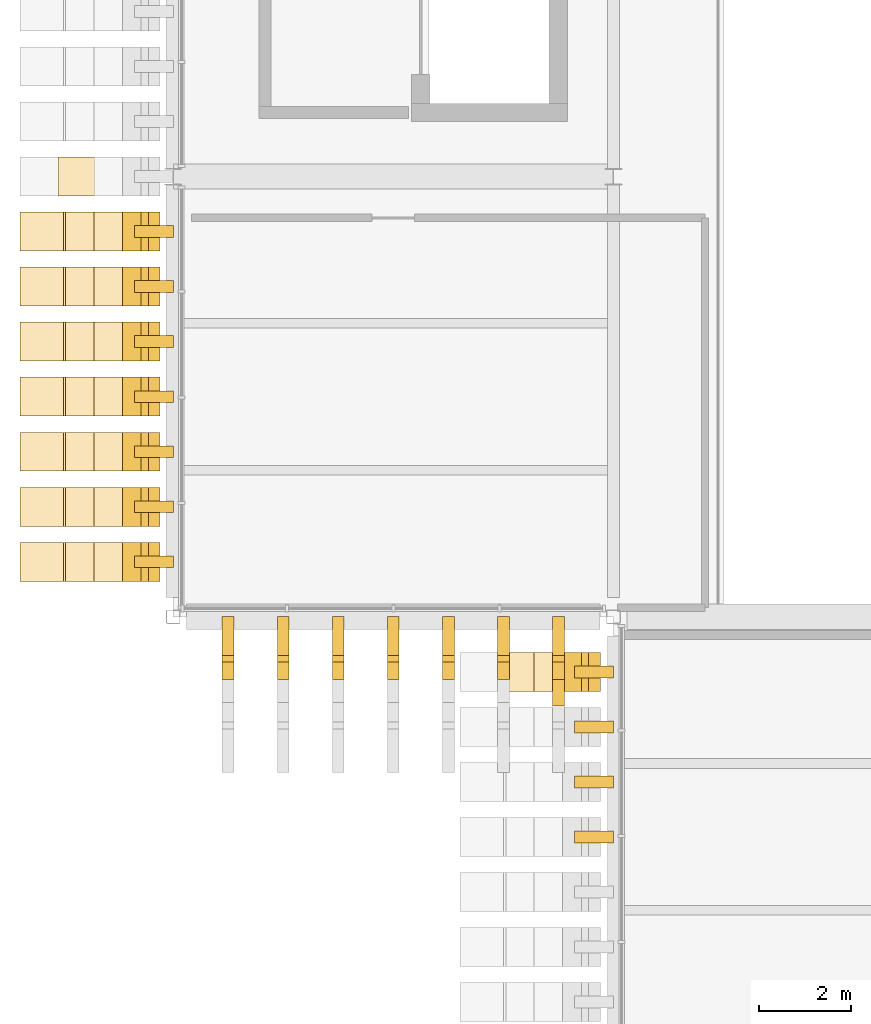
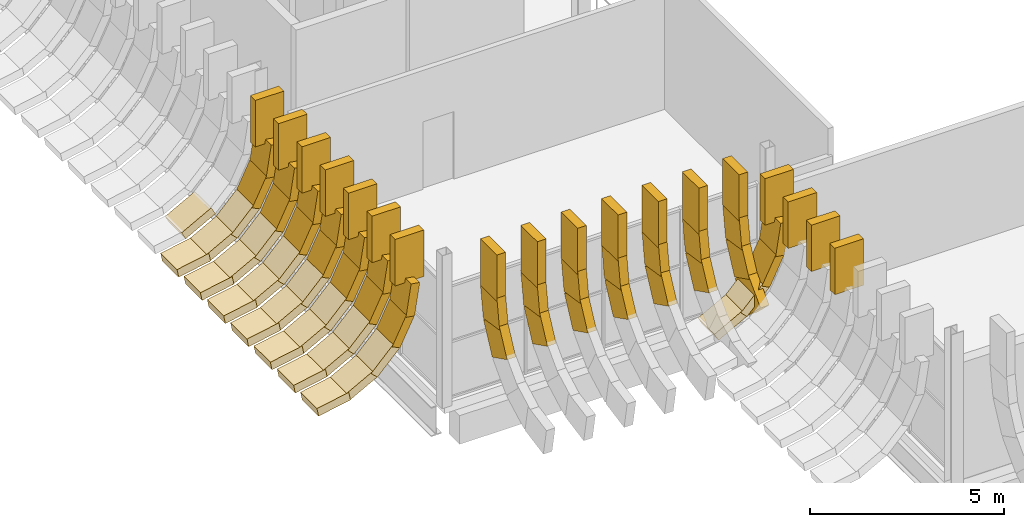
# One storey, part 67 of 100: 73 coverings.
"""IFC4 building model written with IfcOpenShell, lengths in metres."""

from ifc_helpers import new_model, si_unit, direction, frame, origin, origin_2d, place, context, subcontext, project, spatial, rectangle, extrude, material, material_profile, profile_set, type_object, element, save


model = new_model("IFC4")

# Units and contexts
model_context = context("Model", 3, precision=1e-05, world=origin(), true_north=direction((0.0, 1.0)))
body_context = subcontext(model_context, "Body", "Model", "MODEL_VIEW")
ifc_project = project(units=[si_unit("LENGTHUNIT", "METRE"), si_unit("AREAUNIT", "SQUARE_METRE"), si_unit("VOLUMEUNIT", "CUBIC_METRE"), si_unit("PLANEANGLEUNIT", "RADIAN"), si_unit("MASSUNIT", "GRAM", prefix="KILO")], contexts=[model_context])

# Site, building, storey
site_placement = place(None, origin())
site = spatial("IfcSite", under=ifc_project, at=site_placement, CompositionType="ELEMENT")
building_placement = place(site_placement, origin())
building = spatial("IfcBuilding", under=site, at=building_placement, Name="Caelomonte Colonnade Arena", CompositionType="ELEMENT")
storey_placement = place(building_placement, origin())
storey = spatial("IfcBuildingStorey", under=building, at=storey_placement, Name="L00", CompositionType="ELEMENT", Elevation=0.0)

# Coverings
ifc_material = material(Name="Precast travertine cladding", Category="masonry")
ifc_material_profile = material_profile(ifc_material, rectangle(XDim=0.260009765625, YDim=0.85009765625, at=origin_2d()), Name="FIN260X850")
ifc_profile_set = profile_set([ifc_material_profile], Name="Precast travertine cladding")
covering_type = type_object("IfcCoveringType", Name="ENV-FN-SKIRT", PredefinedType="CLADDING", material=ifc_profile_set)
covering_1_placement = place(storey_placement, frame((-1.567626953125, 48.0, 1.061767578125), z_axis=(-0.879676382338, 0.0, -0.475572772935), x_axis=(-0.475572772935, 0.0, 0.879676382338)))
element("IfcCovering", 1, at=covering_1_placement, inside=storey, type_object=covering_type, Name="V5 L00 splayed classical fin skirt chord 4 (32)", PredefinedType="CLADDING", context=body_context, shape_type="SweptSolid", body=[
    extrude(rectangle(XDim=0.260009765625, YDim=0.85009765625, at=origin_2d()), origin(), (0.0, 0.0, 1.0), 1.0078125),
])
covering_2_placement = place(storey_placement, frame((-0.4208984375, 46.800048828125, 3.360107421875), z_axis=(0.0, 0.0, 1.0), x_axis=(0.0, 1.0, 0.0)))
element("IfcCovering", 2, at=covering_2_placement, inside=storey, type_object=covering_type, Name="V5 L00 upper classical fin stem 33", PredefinedType="CLADDING", context=body_context, shape_type="SweptSolid", body=[
    extrude(rectangle(XDim=0.260009765625, YDim=0.85009765625, at=origin_2d()), origin(), (0.0, 0.0, 1.0), 1.4599609375),
])
covering_3_placement = place(storey_placement, frame((-0.4140625, 46.800048828125, 3.474609375), z_axis=(-0.153076342973, 0.0, -0.988214366027), x_axis=(-0.988214366027, 0.0, 0.153076342973)))
element("IfcCovering", 3, at=covering_3_placement, inside=storey, type_object=covering_type, Name="V5 L00 splayed classical fin skirt chord 1 (33)", PredefinedType="CLADDING", context=body_context, shape_type="SweptSolid", body=[
    extrude(rectangle(XDim=0.260009765625, YDim=0.85009765625, at=origin_2d()), origin(), (0.0, 0.0, 1.0), 1.008056640625),
])
covering_4_placement = place(storey_placement, frame((-0.54150390625, 46.800048828125, 2.563232421875), z_axis=(-0.44449852268, 0.0, -0.895779584125), x_axis=(-0.895779584125, 0.0, 0.44449852268)))
element("IfcCovering", 4, at=covering_4_placement, inside=storey, type_object=covering_type, Name="V5 L00 splayed classical fin skirt chord 2 (33)", PredefinedType="CLADDING", context=body_context, shape_type="SweptSolid", body=[
    extrude(rectangle(XDim=0.260009765625, YDim=0.85009765625, at=origin_2d()), origin(), (0.0, 0.0, 1.0), 1.0078125),
])
covering_5_placement = place(storey_placement, frame((-0.938232421875, 46.800048828125, 1.733154296875), z_axis=(-0.694646381209, 0.0, -0.71935137803), x_axis=(-0.71935137803, 0.0, 0.694646381209)))
element("IfcCovering", 5, at=covering_5_placement, inside=storey, type_object=covering_type, Name="V5 L00 splayed classical fin skirt chord 3 (33)", PredefinedType="CLADDING", context=body_context, shape_type="SweptSolid", body=[
    extrude(rectangle(XDim=0.260009765625, YDim=0.85009765625, at=origin_2d()), origin(), (0.0, 0.0, 1.0), 1.008056640625),
])
covering_6_placement = place(storey_placement, frame((-1.567626953125, 46.800048828125, 1.061767578125), z_axis=(-0.879676382338, 0.0, -0.475572772935), x_axis=(-0.475572772935, 0.0, 0.879676382338)))
element("IfcCovering", 6, at=covering_6_placement, inside=storey, type_object=covering_type, Name="V5 L00 splayed classical fin skirt chord 4 (33)", PredefinedType="CLADDING", context=body_context, shape_type="SweptSolid", body=[
    extrude(rectangle(XDim=0.260009765625, YDim=0.85009765625, at=origin_2d()), origin(), (0.0, 0.0, 1.0), 1.0078125),
])
covering_7_placement = place(storey_placement, frame((-2.370361328125, 46.800048828125, 0.6123046875), z_axis=(-0.982296384632, 0.0, -0.187333426643), x_axis=(-0.187333426643, 0.0, 0.982296384632)))
element("IfcCovering", 7, at=covering_7_placement, inside=storey, type_object=covering_type, Name="V5 L00 splayed classical fin skirt chord 5 (33)", PredefinedType="CLADDING", context=body_context, shape_type="SweptSolid", body=[
    extrude(rectangle(XDim=0.260009765625, YDim=0.85009765625, at=origin_2d()), origin(), (0.0, 0.0, 1.0), 0.963134765625),
])
covering_8_placement = place(storey_placement, frame((-0.4208984375, 45.60009765625, 3.360107421875), z_axis=(0.0, 0.0, 1.0), x_axis=(0.0, 1.0, 0.0)))
element("IfcCovering", 8, at=covering_8_placement, inside=storey, type_object=covering_type, Name="V5 L00 upper classical fin stem 34", PredefinedType="CLADDING", context=body_context, shape_type="SweptSolid", body=[
    extrude(rectangle(XDim=0.260009765625, YDim=0.85009765625, at=origin_2d()), origin(), (0.0, 0.0, 1.0), 1.4599609375),
])
covering_9_placement = place(storey_placement, frame((-0.4140625, 45.60009765625, 3.474609375), z_axis=(-0.153076342973, 0.0, -0.988214366027), x_axis=(-0.988214366027, 0.0, 0.153076342973)))
element("IfcCovering", 9, at=covering_9_placement, inside=storey, type_object=covering_type, Name="V5 L00 splayed classical fin skirt chord 1 (34)", PredefinedType="CLADDING", context=body_context, shape_type="SweptSolid", body=[
    extrude(rectangle(XDim=0.260009765625, YDim=0.85009765625, at=origin_2d()), origin(), (0.0, 0.0, 1.0), 1.008056640625),
])
covering_10_placement = place(storey_placement, frame((-0.54150390625, 45.60009765625, 2.563232421875), z_axis=(-0.44449852268, 0.0, -0.895779584125), x_axis=(-0.895779584125, 0.0, 0.44449852268)))
element("IfcCovering", 10, at=covering_10_placement, inside=storey, type_object=covering_type, Name="V5 L00 splayed classical fin skirt chord 2 (34)", PredefinedType="CLADDING", context=body_context, shape_type="SweptSolid", body=[
    extrude(rectangle(XDim=0.260009765625, YDim=0.85009765625, at=origin_2d()), origin(), (0.0, 0.0, 1.0), 1.0078125),
])
covering_11_placement = place(storey_placement, frame((-0.938232421875, 45.60009765625, 1.733154296875), z_axis=(-0.694646381209, 0.0, -0.71935137803), x_axis=(-0.71935137803, 0.0, 0.694646381209)))
element("IfcCovering", 11, at=covering_11_placement, inside=storey, type_object=covering_type, Name="V5 L00 splayed classical fin skirt chord 3 (34)", PredefinedType="CLADDING", context=body_context, shape_type="SweptSolid", body=[
    extrude(rectangle(XDim=0.260009765625, YDim=0.85009765625, at=origin_2d()), origin(), (0.0, 0.0, 1.0), 1.008056640625),
])
covering_12_placement = place(storey_placement, frame((-1.567626953125, 45.60009765625, 1.061767578125), z_axis=(-0.879676382338, 0.0, -0.475572772935), x_axis=(-0.475572772935, 0.0, 0.879676382338)))
element("IfcCovering", 12, at=covering_12_placement, inside=storey, type_object=covering_type, Name="V5 L00 splayed classical fin skirt chord 4 (34)", PredefinedType="CLADDING", context=body_context, shape_type="SweptSolid", body=[
    extrude(rectangle(XDim=0.260009765625, YDim=0.85009765625, at=origin_2d()), origin(), (0.0, 0.0, 1.0), 1.0078125),
])
covering_13_placement = place(storey_placement, frame((-2.370361328125, 45.60009765625, 0.6123046875), z_axis=(-0.982296384632, 0.0, -0.187333426643), x_axis=(-0.187333426643, 0.0, 0.982296384632)))
element("IfcCovering", 13, at=covering_13_placement, inside=storey, type_object=covering_type, Name="V5 L00 splayed classical fin skirt chord 5 (34)", PredefinedType="CLADDING", context=body_context, shape_type="SweptSolid", body=[
    extrude(rectangle(XDim=0.260009765625, YDim=0.85009765625, at=origin_2d()), origin(), (0.0, 0.0, 1.0), 0.963134765625),
])
covering_14_placement = place(storey_placement, frame((-0.4208984375, 44.39990234375, 3.360107421875), z_axis=(0.0, 0.0, 1.0), x_axis=(0.0, 1.0, 0.0)))
element("IfcCovering", 14, at=covering_14_placement, inside=storey, type_object=covering_type, Name="V5 L00 upper classical fin stem 35", PredefinedType="CLADDING", context=body_context, shape_type="SweptSolid", body=[
    extrude(rectangle(XDim=0.260009765625, YDim=0.85009765625, at=origin_2d()), origin(), (0.0, 0.0, 1.0), 1.4599609375),
])
covering_15_placement = place(storey_placement, frame((-0.4140625, 44.39990234375, 3.474609375), z_axis=(-0.153076342973, 0.0, -0.988214366027), x_axis=(-0.988214366027, 0.0, 0.153076342973)))
element("IfcCovering", 15, at=covering_15_placement, inside=storey, type_object=covering_type, Name="V5 L00 splayed classical fin skirt chord 1 (35)", PredefinedType="CLADDING", context=body_context, shape_type="SweptSolid", body=[
    extrude(rectangle(XDim=0.260009765625, YDim=0.85009765625, at=origin_2d()), origin(), (0.0, 0.0, 1.0), 1.008056640625),
])
covering_16_placement = place(storey_placement, frame((-0.54150390625, 44.39990234375, 2.563232421875), z_axis=(-0.44449852268, 0.0, -0.895779584125), x_axis=(-0.895779584125, 0.0, 0.44449852268)))
element("IfcCovering", 16, at=covering_16_placement, inside=storey, type_object=covering_type, Name="V5 L00 splayed classical fin skirt chord 2 (35)", PredefinedType="CLADDING", context=body_context, shape_type="SweptSolid", body=[
    extrude(rectangle(XDim=0.260009765625, YDim=0.85009765625, at=origin_2d()), origin(), (0.0, 0.0, 1.0), 1.0078125),
])
covering_17_placement = place(storey_placement, frame((-0.938232421875, 44.39990234375, 1.733154296875), z_axis=(-0.694646381209, 0.0, -0.71935137803), x_axis=(-0.71935137803, 0.0, 0.694646381209)))
element("IfcCovering", 17, at=covering_17_placement, inside=storey, type_object=covering_type, Name="V5 L00 splayed classical fin skirt chord 3 (35)", PredefinedType="CLADDING", context=body_context, shape_type="SweptSolid", body=[
    extrude(rectangle(XDim=0.260009765625, YDim=0.85009765625, at=origin_2d()), origin(), (0.0, 0.0, 1.0), 1.008056640625),
])
covering_18_placement = place(storey_placement, frame((-1.567626953125, 44.39990234375, 1.061767578125), z_axis=(-0.879676382338, 0.0, -0.475572772935), x_axis=(-0.475572772935, 0.0, 0.879676382338)))
element("IfcCovering", 18, at=covering_18_placement, inside=storey, type_object=covering_type, Name="V5 L00 splayed classical fin skirt chord 4 (35)", PredefinedType="CLADDING", context=body_context, shape_type="SweptSolid", body=[
    extrude(rectangle(XDim=0.260009765625, YDim=0.85009765625, at=origin_2d()), origin(), (0.0, 0.0, 1.0), 1.0078125),
])
covering_19_placement = place(storey_placement, frame((-2.370361328125, 44.39990234375, 0.6123046875), z_axis=(-0.982296384632, 0.0, -0.187333426643), x_axis=(-0.187333426643, 0.0, 0.982296384632)))
element("IfcCovering", 19, at=covering_19_placement, inside=storey, type_object=covering_type, Name="V5 L00 splayed classical fin skirt chord 5 (35)", PredefinedType="CLADDING", context=body_context, shape_type="SweptSolid", body=[
    extrude(rectangle(XDim=0.260009765625, YDim=0.85009765625, at=origin_2d()), origin(), (0.0, 0.0, 1.0), 0.963134765625),
])
covering_20_placement = place(storey_placement, frame((-0.4208984375, 43.199951171875, 3.360107421875), z_axis=(0.0, 0.0, 1.0), x_axis=(0.0, 1.0, 0.0)))
element("IfcCovering", 20, at=covering_20_placement, inside=storey, type_object=covering_type, Name="V5 L00 upper classical fin stem 36", PredefinedType="CLADDING", context=body_context, shape_type="SweptSolid", body=[
    extrude(rectangle(XDim=0.260009765625, YDim=0.85009765625, at=origin_2d()), origin(), (0.0, 0.0, 1.0), 1.4599609375),
])
covering_21_placement = place(storey_placement, frame((-0.4140625, 43.199951171875, 3.474609375), z_axis=(-0.153076342973, 0.0, -0.988214366027), x_axis=(-0.988214366027, 0.0, 0.153076342973)))
element("IfcCovering", 21, at=covering_21_placement, inside=storey, type_object=covering_type, Name="V5 L00 splayed classical fin skirt chord 1 (36)", PredefinedType="CLADDING", context=body_context, shape_type="SweptSolid", body=[
    extrude(rectangle(XDim=0.260009765625, YDim=0.85009765625, at=origin_2d()), origin(), (0.0, 0.0, 1.0), 1.008056640625),
])
covering_22_placement = place(storey_placement, frame((-0.54150390625, 43.199951171875, 2.563232421875), z_axis=(-0.44449852268, 0.0, -0.895779584125), x_axis=(-0.895779584125, 0.0, 0.44449852268)))
element("IfcCovering", 22, at=covering_22_placement, inside=storey, type_object=covering_type, Name="V5 L00 splayed classical fin skirt chord 2 (36)", PredefinedType="CLADDING", context=body_context, shape_type="SweptSolid", body=[
    extrude(rectangle(XDim=0.260009765625, YDim=0.85009765625, at=origin_2d()), origin(), (0.0, 0.0, 1.0), 1.0078125),
])
covering_23_placement = place(storey_placement, frame((-0.938232421875, 43.199951171875, 1.733154296875), z_axis=(-0.694646381209, 0.0, -0.71935137803), x_axis=(-0.71935137803, 0.0, 0.694646381209)))
element("IfcCovering", 23, at=covering_23_placement, inside=storey, type_object=covering_type, Name="V5 L00 splayed classical fin skirt chord 3 (36)", PredefinedType="CLADDING", context=body_context, shape_type="SweptSolid", body=[
    extrude(rectangle(XDim=0.260009765625, YDim=0.85009765625, at=origin_2d()), origin(), (0.0, 0.0, 1.0), 1.008056640625),
])
covering_24_placement = place(storey_placement, frame((-1.567626953125, 43.199951171875, 1.061767578125), z_axis=(-0.879676382338, 0.0, -0.475572772935), x_axis=(-0.475572772935, 0.0, 0.879676382338)))
element("IfcCovering", 24, at=covering_24_placement, inside=storey, type_object=covering_type, Name="V5 L00 splayed classical fin skirt chord 4 (36)", PredefinedType="CLADDING", context=body_context, shape_type="SweptSolid", body=[
    extrude(rectangle(XDim=0.260009765625, YDim=0.85009765625, at=origin_2d()), origin(), (0.0, 0.0, 1.0), 1.0078125),
])
covering_25_placement = place(storey_placement, frame((-2.370361328125, 43.199951171875, 0.6123046875), z_axis=(-0.982296384632, 0.0, -0.187333426643), x_axis=(-0.187333426643, 0.0, 0.982296384632)))
element("IfcCovering", 25, at=covering_25_placement, inside=storey, type_object=covering_type, Name="V5 L00 splayed classical fin skirt chord 5 (36)", PredefinedType="CLADDING", context=body_context, shape_type="SweptSolid", body=[
    extrude(rectangle(XDim=0.260009765625, YDim=0.85009765625, at=origin_2d()), origin(), (0.0, 0.0, 1.0), 0.963134765625),
])
covering_26_placement = place(storey_placement, frame((-0.4208984375, 42.0, 3.360107421875), z_axis=(0.0, 0.0, 1.0), x_axis=(0.0, 1.0, 0.0)))
element("IfcCovering", 26, at=covering_26_placement, inside=storey, type_object=covering_type, Name="V5 L00 upper classical fin stem 37", PredefinedType="CLADDING", context=body_context, shape_type="SweptSolid", body=[
    extrude(rectangle(XDim=0.260009765625, YDim=0.85009765625, at=origin_2d()), origin(), (0.0, 0.0, 1.0), 1.4599609375),
])
covering_27_placement = place(storey_placement, frame((-0.4140625, 42.0, 3.474609375), z_axis=(-0.153076342973, 0.0, -0.988214366027), x_axis=(-0.988214366027, 0.0, 0.153076342973)))
element("IfcCovering", 27, at=covering_27_placement, inside=storey, type_object=covering_type, Name="V5 L00 splayed classical fin skirt chord 1 (37)", PredefinedType="CLADDING", context=body_context, shape_type="SweptSolid", body=[
    extrude(rectangle(XDim=0.260009765625, YDim=0.85009765625, at=origin_2d()), origin(), (0.0, 0.0, 1.0), 1.008056640625),
])
covering_28_placement = place(storey_placement, frame((-0.54150390625, 42.0, 2.563232421875), z_axis=(-0.44449852268, 0.0, -0.895779584125), x_axis=(-0.895779584125, 0.0, 0.44449852268)))
element("IfcCovering", 28, at=covering_28_placement, inside=storey, type_object=covering_type, Name="V5 L00 splayed classical fin skirt chord 2 (37)", PredefinedType="CLADDING", context=body_context, shape_type="SweptSolid", body=[
    extrude(rectangle(XDim=0.260009765625, YDim=0.85009765625, at=origin_2d()), origin(), (0.0, 0.0, 1.0), 1.0078125),
])
covering_29_placement = place(storey_placement, frame((-0.938232421875, 42.0, 1.733154296875), z_axis=(-0.694646381209, 0.0, -0.71935137803), x_axis=(-0.71935137803, 0.0, 0.694646381209)))
element("IfcCovering", 29, at=covering_29_placement, inside=storey, type_object=covering_type, Name="V5 L00 splayed classical fin skirt chord 3 (37)", PredefinedType="CLADDING", context=body_context, shape_type="SweptSolid", body=[
    extrude(rectangle(XDim=0.260009765625, YDim=0.85009765625, at=origin_2d()), origin(), (0.0, 0.0, 1.0), 1.008056640625),
])
covering_30_placement = place(storey_placement, frame((-1.567626953125, 42.0, 1.061767578125), z_axis=(-0.879676382338, 0.0, -0.475572772935), x_axis=(-0.475572772935, 0.0, 0.879676382338)))
element("IfcCovering", 30, at=covering_30_placement, inside=storey, type_object=covering_type, Name="V5 L00 splayed classical fin skirt chord 4 (37)", PredefinedType="CLADDING", context=body_context, shape_type="SweptSolid", body=[
    extrude(rectangle(XDim=0.260009765625, YDim=0.85009765625, at=origin_2d()), origin(), (0.0, 0.0, 1.0), 1.0078125),
])
covering_31_placement = place(storey_placement, frame((-2.370361328125, 42.0, 0.6123046875), z_axis=(-0.982296384632, 0.0, -0.187333426643), x_axis=(-0.187333426643, 0.0, 0.982296384632)))
element("IfcCovering", 31, at=covering_31_placement, inside=storey, type_object=covering_type, Name="V5 L00 splayed classical fin skirt chord 5 (37)", PredefinedType="CLADDING", context=body_context, shape_type="SweptSolid", body=[
    extrude(rectangle(XDim=0.260009765625, YDim=0.85009765625, at=origin_2d()), origin(), (0.0, 0.0, 1.0), 0.963134765625),
])
covering_32_placement = place(storey_placement, frame((-0.4208984375, 40.800048828125, 3.360107421875), z_axis=(0.0, 0.0, 1.0), x_axis=(0.0, 1.0, 0.0)))
element("IfcCovering", 32, at=covering_32_placement, inside=storey, type_object=covering_type, Name="V5 L00 upper classical fin stem 38", PredefinedType="CLADDING", context=body_context, shape_type="SweptSolid", body=[
    extrude(rectangle(XDim=0.260009765625, YDim=0.85009765625, at=origin_2d()), origin(), (0.0, 0.0, 1.0), 1.4599609375),
])
covering_33_placement = place(storey_placement, frame((-0.4140625, 40.800048828125, 3.474609375), z_axis=(-0.153076342973, 0.0, -0.988214366027), x_axis=(-0.988214366027, 0.0, 0.153076342973)))
element("IfcCovering", 33, at=covering_33_placement, inside=storey, type_object=covering_type, Name="V5 L00 splayed classical fin skirt chord 1 (38)", PredefinedType="CLADDING", context=body_context, shape_type="SweptSolid", body=[
    extrude(rectangle(XDim=0.260009765625, YDim=0.85009765625, at=origin_2d()), origin(), (0.0, 0.0, 1.0), 1.008056640625),
])
covering_34_placement = place(storey_placement, frame((-0.54150390625, 40.800048828125, 2.563232421875), z_axis=(-0.44449852268, 0.0, -0.895779584125), x_axis=(-0.895779584125, 0.0, 0.44449852268)))
element("IfcCovering", 34, at=covering_34_placement, inside=storey, type_object=covering_type, Name="V5 L00 splayed classical fin skirt chord 2 (38)", PredefinedType="CLADDING", context=body_context, shape_type="SweptSolid", body=[
    extrude(rectangle(XDim=0.260009765625, YDim=0.85009765625, at=origin_2d()), origin(), (0.0, 0.0, 1.0), 1.0078125),
])
covering_35_placement = place(storey_placement, frame((-0.938232421875, 40.800048828125, 1.733154296875), z_axis=(-0.694646381209, 0.0, -0.71935137803), x_axis=(-0.71935137803, 0.0, 0.694646381209)))
element("IfcCovering", 35, at=covering_35_placement, inside=storey, type_object=covering_type, Name="V5 L00 splayed classical fin skirt chord 3 (38)", PredefinedType="CLADDING", context=body_context, shape_type="SweptSolid", body=[
    extrude(rectangle(XDim=0.260009765625, YDim=0.85009765625, at=origin_2d()), origin(), (0.0, 0.0, 1.0), 1.008056640625),
])
covering_36_placement = place(storey_placement, frame((-1.567626953125, 40.800048828125, 1.061767578125), z_axis=(-0.879676382338, 0.0, -0.475572772935), x_axis=(-0.475572772935, 0.0, 0.879676382338)))
element("IfcCovering", 36, at=covering_36_placement, inside=storey, type_object=covering_type, Name="V5 L00 splayed classical fin skirt chord 4 (38)", PredefinedType="CLADDING", context=body_context, shape_type="SweptSolid", body=[
    extrude(rectangle(XDim=0.260009765625, YDim=0.85009765625, at=origin_2d()), origin(), (0.0, 0.0, 1.0), 1.0078125),
])
covering_37_placement = place(storey_placement, frame((-2.370361328125, 40.800048828125, 0.6123046875), z_axis=(-0.982296384632, 0.0, -0.187333426643), x_axis=(-0.187333426643, 0.0, 0.982296384632)))
element("IfcCovering", 37, at=covering_37_placement, inside=storey, type_object=covering_type, Name="V5 L00 splayed classical fin skirt chord 5 (38)", PredefinedType="CLADDING", context=body_context, shape_type="SweptSolid", body=[
    extrude(rectangle(XDim=0.260009765625, YDim=0.85009765625, at=origin_2d()), origin(), (0.0, 0.0, 1.0), 0.963134765625),
])
covering_38_placement = place(storey_placement, frame((-0.4208984375, 39.60009765625, 3.360107421875), z_axis=(0.0, 0.0, 1.0), x_axis=(0.0, 1.0, 0.0)))
element("IfcCovering", 38, at=covering_38_placement, inside=storey, type_object=covering_type, Name="V5 L00 upper classical fin stem 39", PredefinedType="CLADDING", context=body_context, shape_type="SweptSolid", body=[
    extrude(rectangle(XDim=0.260009765625, YDim=0.85009765625, at=origin_2d()), origin(), (0.0, 0.0, 1.0), 1.4599609375),
])
covering_39_placement = place(storey_placement, frame((-0.4140625, 39.60009765625, 3.474609375), z_axis=(-0.153076342973, 0.0, -0.988214366027), x_axis=(-0.988214366027, 0.0, 0.153076342973)))
element("IfcCovering", 39, at=covering_39_placement, inside=storey, type_object=covering_type, Name="V5 L00 splayed classical fin skirt chord 1 (39)", PredefinedType="CLADDING", context=body_context, shape_type="SweptSolid", body=[
    extrude(rectangle(XDim=0.260009765625, YDim=0.85009765625, at=origin_2d()), origin(), (0.0, 0.0, 1.0), 1.008056640625),
])
covering_40_placement = place(storey_placement, frame((-0.54150390625, 39.60009765625, 2.563232421875), z_axis=(-0.44449852268, 0.0, -0.895779584125), x_axis=(-0.895779584125, 0.0, 0.44449852268)))
element("IfcCovering", 40, at=covering_40_placement, inside=storey, type_object=covering_type, Name="V5 L00 splayed classical fin skirt chord 2 (39)", PredefinedType="CLADDING", context=body_context, shape_type="SweptSolid", body=[
    extrude(rectangle(XDim=0.260009765625, YDim=0.85009765625, at=origin_2d()), origin(), (0.0, 0.0, 1.0), 1.0078125),
])
covering_41_placement = place(storey_placement, frame((-0.938232421875, 39.60009765625, 1.733154296875), z_axis=(-0.694646381209, 0.0, -0.71935137803), x_axis=(-0.71935137803, 0.0, 0.694646381209)))
element("IfcCovering", 41, at=covering_41_placement, inside=storey, type_object=covering_type, Name="V5 L00 splayed classical fin skirt chord 3 (39)", PredefinedType="CLADDING", context=body_context, shape_type="SweptSolid", body=[
    extrude(rectangle(XDim=0.260009765625, YDim=0.85009765625, at=origin_2d()), origin(), (0.0, 0.0, 1.0), 1.008056640625),
])
covering_42_placement = place(storey_placement, frame((-1.567626953125, 39.60009765625, 1.061767578125), z_axis=(-0.879676382338, 0.0, -0.475572772935), x_axis=(-0.475572772935, 0.0, 0.879676382338)))
element("IfcCovering", 42, at=covering_42_placement, inside=storey, type_object=covering_type, Name="V5 L00 splayed classical fin skirt chord 4 (39)", PredefinedType="CLADDING", context=body_context, shape_type="SweptSolid", body=[
    extrude(rectangle(XDim=0.260009765625, YDim=0.85009765625, at=origin_2d()), origin(), (0.0, 0.0, 1.0), 1.0078125),
])
covering_43_placement = place(storey_placement, frame((-2.370361328125, 39.60009765625, 0.6123046875), z_axis=(-0.982296384632, 0.0, -0.187333426643), x_axis=(-0.187333426643, 0.0, 0.982296384632)))
element("IfcCovering", 43, at=covering_43_placement, inside=storey, type_object=covering_type, Name="V5 L00 splayed classical fin skirt chord 5 (39)", PredefinedType="CLADDING", context=body_context, shape_type="SweptSolid", body=[
    extrude(rectangle(XDim=0.260009765625, YDim=0.85009765625, at=origin_2d()), origin(), (0.0, 0.0, 1.0), 0.963134765625),
])
covering_44_placement = place(storey_placement, frame((1.199951171875, 37.97900390625, 3.360107421875), z_axis=(0.0, 0.0, 1.0), x_axis=(-1.0, 0.0, 0.0)))
element("IfcCovering", 44, at=covering_44_placement, inside=storey, type_object=covering_type, Name="V5 L00 upper classical fin stem 40", PredefinedType="CLADDING", context=body_context, shape_type="SweptSolid", body=[
    extrude(rectangle(XDim=0.260009765625, YDim=0.85009765625, at=origin_2d()), origin(), (0.0, 0.0, 1.0), 1.4599609375),
])
for number, where, z_axis, x_axis, name in (
    (45, (1.199951171875, 37.98583984375, 3.474609375), (0.0, -0.15283979596, -0.988250978634), (-1.0, 0.0, 0.0), "V5 L00 splayed classical fin skirt chord 1 (40)"),
    (46, (1.199951171875, 37.858642578125, 2.563232421875), (0.0, -0.444692864571, -0.89568312265), (-1.0, 0.0, 0.0), "V5 L00 splayed classical fin skirt chord 2 (40)"),
):
    element("IfcCovering", number, at=place(storey_placement, frame(where, z_axis=z_axis, x_axis=x_axis)), inside=storey, type_object=covering_type, Name=name, PredefinedType="CLADDING", context=body_context, shape_type="SweptSolid", body=[
        extrude(rectangle(XDim=0.260009765625, YDim=0.85009765625, at=origin_2d()), origin(), (0.0, 0.0, 1.0), 1.008056640625),
    ])
covering_45_placement = place(storey_placement, frame((2.39990234375, 37.97900390625, 3.360107421875), z_axis=(0.0, 0.0, 1.0), x_axis=(-1.0, 0.0, 0.0)))
element("IfcCovering", 47, at=covering_45_placement, inside=storey, type_object=covering_type, Name="V5 L00 upper classical fin stem 41", PredefinedType="CLADDING", context=body_context, shape_type="SweptSolid", body=[
    extrude(rectangle(XDim=0.260009765625, YDim=0.85009765625, at=origin_2d()), origin(), (0.0, 0.0, 1.0), 1.4599609375),
])
for number, where, z_axis, x_axis, name in (
    (48, (2.39990234375, 37.98583984375, 3.474609375), (0.0, -0.15283979596, -0.988250978634), (-1.0, 0.0, 0.0), "V5 L00 splayed classical fin skirt chord 1 (41)"),
    (49, (2.39990234375, 37.858642578125, 2.563232421875), (0.0, -0.444692864571, -0.89568312265), (-1.0, 0.0, 0.0), "V5 L00 splayed classical fin skirt chord 2 (41)"),
):
    element("IfcCovering", number, at=place(storey_placement, frame(where, z_axis=z_axis, x_axis=x_axis)), inside=storey, type_object=covering_type, Name=name, PredefinedType="CLADDING", context=body_context, shape_type="SweptSolid", body=[
        extrude(rectangle(XDim=0.260009765625, YDim=0.85009765625, at=origin_2d()), origin(), (0.0, 0.0, 1.0), 1.008056640625),
    ])
covering_46_placement = place(storey_placement, frame((3.60009765625, 37.97900390625, 3.360107421875), z_axis=(0.0, 0.0, 1.0), x_axis=(-1.0, 0.0, 0.0)))
element("IfcCovering", 50, at=covering_46_placement, inside=storey, type_object=covering_type, Name="V5 L00 upper classical fin stem 42", PredefinedType="CLADDING", context=body_context, shape_type="SweptSolid", body=[
    extrude(rectangle(XDim=0.260009765625, YDim=0.85009765625, at=origin_2d()), origin(), (0.0, 0.0, 1.0), 1.4599609375),
])
for number, where, z_axis, x_axis, name in (
    (51, (3.60009765625, 37.98583984375, 3.474609375), (0.0, -0.15283979596, -0.988250978634), (-1.0, 0.0, 0.0), "V5 L00 splayed classical fin skirt chord 1 (42)"),
    (52, (3.60009765625, 37.858642578125, 2.563232421875), (0.0, -0.444692864571, -0.89568312265), (-1.0, 0.0, 0.0), "V5 L00 splayed classical fin skirt chord 2 (42)"),
):
    element("IfcCovering", number, at=place(storey_placement, frame(where, z_axis=z_axis, x_axis=x_axis)), inside=storey, type_object=covering_type, Name=name, PredefinedType="CLADDING", context=body_context, shape_type="SweptSolid", body=[
        extrude(rectangle(XDim=0.260009765625, YDim=0.85009765625, at=origin_2d()), origin(), (0.0, 0.0, 1.0), 1.008056640625),
    ])
covering_47_placement = place(storey_placement, frame((4.800048828125, 37.97900390625, 3.360107421875), z_axis=(0.0, 0.0, 1.0), x_axis=(-1.0, 0.0, 0.0)))
element("IfcCovering", 53, at=covering_47_placement, inside=storey, type_object=covering_type, Name="V5 L00 upper classical fin stem 43", PredefinedType="CLADDING", context=body_context, shape_type="SweptSolid", body=[
    extrude(rectangle(XDim=0.260009765625, YDim=0.85009765625, at=origin_2d()), origin(), (0.0, 0.0, 1.0), 1.4599609375),
])
for number, where, z_axis, x_axis, name in (
    (54, (4.800048828125, 37.98583984375, 3.474609375), (0.0, -0.15283979596, -0.988250978634), (-1.0, 0.0, 0.0), "V5 L00 splayed classical fin skirt chord 1 (43)"),
    (55, (4.800048828125, 37.858642578125, 2.563232421875), (0.0, -0.444692864571, -0.89568312265), (-1.0, 0.0, 0.0), "V5 L00 splayed classical fin skirt chord 2 (43)"),
):
    element("IfcCovering", number, at=place(storey_placement, frame(where, z_axis=z_axis, x_axis=x_axis)), inside=storey, type_object=covering_type, Name=name, PredefinedType="CLADDING", context=body_context, shape_type="SweptSolid", body=[
        extrude(rectangle(XDim=0.260009765625, YDim=0.85009765625, at=origin_2d()), origin(), (0.0, 0.0, 1.0), 1.008056640625),
    ])
covering_48_placement = place(storey_placement, frame((6.0, 37.97900390625, 3.360107421875), z_axis=(0.0, 0.0, 1.0), x_axis=(-1.0, 0.0, 0.0)))
element("IfcCovering", 56, at=covering_48_placement, inside=storey, type_object=covering_type, Name="V5 L00 upper classical fin stem 44", PredefinedType="CLADDING", context=body_context, shape_type="SweptSolid", body=[
    extrude(rectangle(XDim=0.260009765625, YDim=0.85009765625, at=origin_2d()), origin(), (0.0, 0.0, 1.0), 1.4599609375),
])
for number, where, z_axis, x_axis, name in (
    (57, (6.0, 37.98583984375, 3.474609375), (0.0, -0.15283979596, -0.988250978634), (-1.0, 0.0, 0.0), "V5 L00 splayed classical fin skirt chord 1 (44)"),
    (58, (6.0, 37.858642578125, 2.563232421875), (0.0, -0.444692864571, -0.89568312265), (-1.0, 0.0, 0.0), "V5 L00 splayed classical fin skirt chord 2 (44)"),
):
    element("IfcCovering", number, at=place(storey_placement, frame(where, z_axis=z_axis, x_axis=x_axis)), inside=storey, type_object=covering_type, Name=name, PredefinedType="CLADDING", context=body_context, shape_type="SweptSolid", body=[
        extrude(rectangle(XDim=0.260009765625, YDim=0.85009765625, at=origin_2d()), origin(), (0.0, 0.0, 1.0), 1.008056640625),
    ])
covering_49_placement = place(storey_placement, frame((7.199951171875, 37.97900390625, 3.360107421875), z_axis=(0.0, 0.0, 1.0), x_axis=(-1.0, 0.0, 0.0)))
element("IfcCovering", 59, at=covering_49_placement, inside=storey, type_object=covering_type, Name="V5 L00 upper classical fin stem 45", PredefinedType="CLADDING", context=body_context, shape_type="SweptSolid", body=[
    extrude(rectangle(XDim=0.260009765625, YDim=0.85009765625, at=origin_2d()), origin(), (0.0, 0.0, 1.0), 1.4599609375),
])
for number, where, z_axis, x_axis, name in (
    (60, (7.199951171875, 37.98583984375, 3.474609375), (0.0, -0.15283979596, -0.988250978634), (-1.0, 0.0, 0.0), "V5 L00 splayed classical fin skirt chord 1 (45)"),
    (61, (7.199951171875, 37.858642578125, 2.563232421875), (0.0, -0.444692864571, -0.89568312265), (-1.0, 0.0, 0.0), "V5 L00 splayed classical fin skirt chord 2 (45)"),
):
    element("IfcCovering", number, at=place(storey_placement, frame(where, z_axis=z_axis, x_axis=x_axis)), inside=storey, type_object=covering_type, Name=name, PredefinedType="CLADDING", context=body_context, shape_type="SweptSolid", body=[
        extrude(rectangle(XDim=0.260009765625, YDim=0.85009765625, at=origin_2d()), origin(), (0.0, 0.0, 1.0), 1.008056640625),
    ])
covering_50_placement = place(storey_placement, frame((8.39990234375, 37.97900390625, 3.360107421875), z_axis=(0.0, 0.0, 1.0), x_axis=(-1.0, 0.0, 0.0)))
element("IfcCovering", 62, at=covering_50_placement, inside=storey, type_object=covering_type, Name="V5 L00 upper classical fin stem 46", PredefinedType="CLADDING", context=body_context, shape_type="SweptSolid", body=[
    extrude(rectangle(XDim=0.260009765625, YDim=0.85009765625, at=origin_2d()), origin(), (0.0, 0.0, 1.0), 1.4599609375),
])
for number, where, z_axis, x_axis, name in (
    (63, (8.39990234375, 37.98583984375, 3.474609375), (0.0, -0.15283979596, -0.988250978634), (-1.0, 0.0, 0.0), "V5 L00 splayed classical fin skirt chord 1 (46)"),
    (64, (8.39990234375, 37.858642578125, 2.563232421875), (0.0, -0.444692864571, -0.89568312265), (-1.0, 0.0, 0.0), "V5 L00 splayed classical fin skirt chord 2 (46)"),
    (65, (8.39990234375, 37.461669921875, 1.733154296875), (0.0, -0.694646381209, -0.71935137803), (-1.0, 0.0, 0.0), "V5 L00 splayed classical fin skirt chord 3 (46)"),
):
    element("IfcCovering", number, at=place(storey_placement, frame(where, z_axis=z_axis, x_axis=x_axis)), inside=storey, type_object=covering_type, Name=name, PredefinedType="CLADDING", context=body_context, shape_type="SweptSolid", body=[
        extrude(rectangle(XDim=0.260009765625, YDim=0.85009765625, at=origin_2d()), origin(), (0.0, 0.0, 1.0), 1.008056640625),
    ])
covering_51_placement = place(storey_placement, frame((9.178955078125, 37.199951171875, 3.360107421875), z_axis=(0.0, 0.0, 1.0), x_axis=(0.0, 1.0, 0.0)))
element("IfcCovering", 66, at=covering_51_placement, inside=storey, type_object=covering_type, Name="V5 L00 upper classical fin stem 47", PredefinedType="CLADDING", context=body_context, shape_type="SweptSolid", body=[
    extrude(rectangle(XDim=0.260009765625, YDim=0.85009765625, at=origin_2d()), origin(), (0.0, 0.0, 1.0), 1.4599609375),
])
for number, where, z_axis, x_axis, name in (
    (67, (9.185791015625, 37.199951171875, 3.474609375), (-0.15283979596, 0.0, -0.988250978634), (-0.988250978634, 0.0, 0.15283979596), "V5 L00 splayed classical fin skirt chord 1 (47)"),
    (68, (9.05859375, 37.199951171875, 2.563232421875), (-0.444692864571, 0.0, -0.89568312265), (-0.89568312265, 0.0, 0.444692864571), "V5 L00 splayed classical fin skirt chord 2 (47)"),
    (69, (8.66162109375, 37.199951171875, 1.733154296875), (-0.694646381209, 0.0, -0.71935137803), (-0.71935137803, 0.0, 0.694646381209), "V5 L00 splayed classical fin skirt chord 3 (47)"),
    (70, (8.032470703125, 37.199951171875, 1.061767578125), (-0.879731158529, 0.0, -0.475471438379), (-0.475471438379, 0.0, 0.879731158529), "V5 L00 splayed classical fin skirt chord 4 (47)"),
):
    element("IfcCovering", number, at=place(storey_placement, frame(where, z_axis=z_axis, x_axis=x_axis)), inside=storey, type_object=covering_type, Name=name, PredefinedType="CLADDING", context=body_context, shape_type="SweptSolid", body=[
        extrude(rectangle(XDim=0.260009765625, YDim=0.85009765625, at=origin_2d()), origin(), (0.0, 0.0, 1.0), 1.008056640625),
    ])
for number, where, z_axis, x_axis, name in (
    (71, (9.178955078125, 36.0, 3.360107421875), (0.0, 0.0, 1.0), (0.0, 1.0, 0.0), "V5 L00 upper classical fin stem 48"),
    (72, (9.178955078125, 34.800048828125, 3.360107421875), (0.0, 0.0, 1.0), (0.0, 1.0, 0.0), "V5 L00 upper classical fin stem 49"),
    (73, (9.178955078125, 33.60009765625, 3.360107421875), (0.0, 0.0, 1.0), (0.0, 1.0, 0.0), "V5 L00 upper classical fin stem 50"),
):
    element("IfcCovering", number, at=place(storey_placement, frame(where, z_axis=z_axis, x_axis=x_axis)), inside=storey, type_object=covering_type, Name=name, PredefinedType="CLADDING", context=body_context, shape_type="SweptSolid", body=[
        extrude(rectangle(XDim=0.260009765625, YDim=0.85009765625, at=origin_2d()), origin(), (0.0, 0.0, 1.0), 1.4599609375),
    ])

save(model, "model.ifc")
